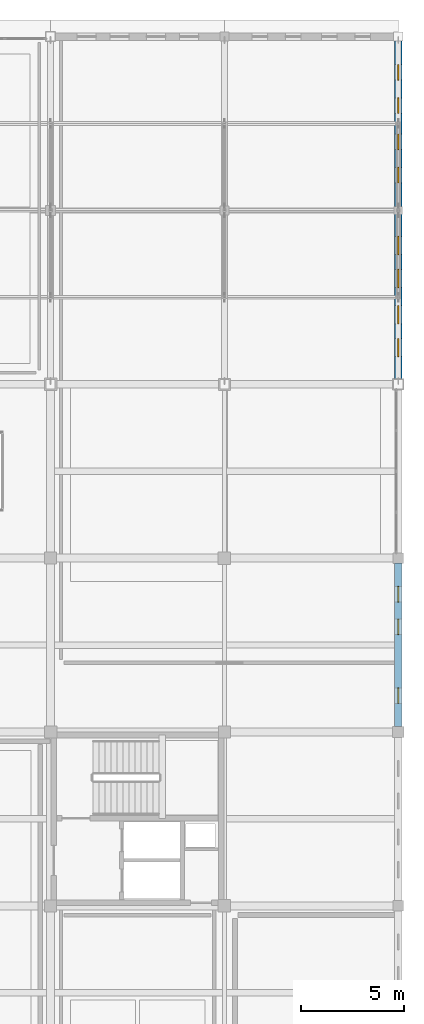
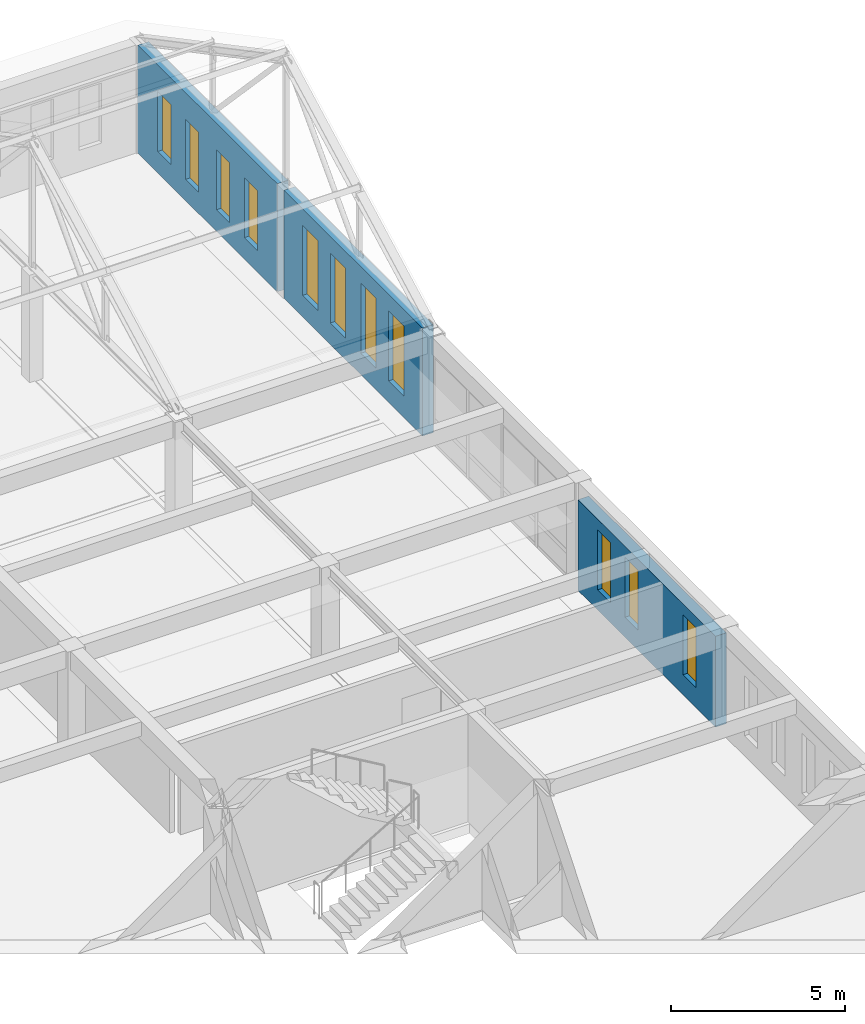
# One storey, part 50 of 56: 11 windows, 3 walls, 11 openings.
"""IFC4 building model written with IfcOpenShell, lengths in metres."""

from ifc_helpers import new_model, si_unit, direction, frame, frame_2d, origin, place, context, subcontext, project, spatial, rectangle, extrude, material, layer, layer_set, type_object, element, fill, save


model = new_model("IFC4")

# Units and contexts
model_context = context("Model", 3, precision=1e-05, world=origin(), true_north=direction((0.0, 1.0)))
body_context = subcontext(model_context, "Body", "Model", "MODEL_VIEW")
ifc_project = project(units=[si_unit("LENGTHUNIT", "METRE"), si_unit("AREAUNIT", "SQUARE_METRE"), si_unit("VOLUMEUNIT", "CUBIC_METRE"), si_unit("PLANEANGLEUNIT", "RADIAN"), si_unit("MASSUNIT", "GRAM", prefix="KILO")], contexts=[model_context])

# Site, building, storey
site_placement = place(None, origin())
site = spatial("IfcSite", under=ifc_project, at=site_placement, CompositionType="ELEMENT")
building_placement = place(site_placement, origin())
building = spatial("IfcBuilding", under=site, at=building_placement, Name="Kveldsbrygga Polytechnic", CompositionType="ELEMENT")
storey_placement = place(building_placement, frame((0.0, 0.0, 18.02001953125)))
storey = spatial("IfcBuildingStorey", under=building, at=storey_placement, Name="L04", CompositionType="ELEMENT", Elevation=18.02001953125)

# Wall, openings, windows
ifc_material_1 = material(Name="Fired clay brick masonry M10", Category="masonry")
ifc_layer = layer(ifc_material_1, 0.360107421875)
ifc_layer_set = layer_set([ifc_layer], Name="Fired clay brick masonry M10")
wall_type = type_object("IfcWallType", Name="EW-BRICK-360", PredefinedType="SOLIDWALL", material=ifc_layer_set)
wall_1_placement = place(storey_placement, frame((168.0, 84.260009765625, 0.0), z_axis=(0.0, 0.0, 1.0), x_axis=(0.0, 1.0, 0.0)))
wall_1 = element("IfcWall", 1, at=wall_1_placement, inside=storey, type_object=wall_type, Name="Exterior Brick Wall EW-L04-Y-20-10", PredefinedType="SOLIDWALL", context=body_context, shape_type="SweptSolid", body=[
    extrude(rectangle(XDim=7.89501953125, YDim=0.360107421875, at=frame_2d((3.947509765625, 0.0))), origin(), (0.0, 0.0, 1.0), 3.179931640625),
])
opening_1_placement = place(wall_1_placement, frame((1.125, 0.0, 0.699951171875)))
opening_1 = element("IfcOpeningElement", 2, at=opening_1_placement, cuts=wall_1, Name="Opening W-27", PredefinedType="OPENING", context=body_context, shape_type="SweptSolid", body=[
    extrude(rectangle(XDim=0.75, YDim=2.10009765625, at=frame_2d((0.375, 1.050048828125))), frame((0.0, 0.18994140625, 0.0), z_axis=(0.0, -1.0, 0.0), x_axis=(1.0, 0.0, 0.0)), (0.0, 0.0, 1.0), 0.380126953125),
])
opening_2_placement = place(wall_1_placement, frame((4.44091796875, 0.0, 0.699951171875)))
opening_2 = element("IfcOpeningElement", 3, at=opening_2_placement, cuts=wall_1, Name="Opening W-27", PredefinedType="OPENING", context=body_context, shape_type="SweptSolid", body=[
    extrude(rectangle(XDim=0.75, YDim=2.10009765625, at=frame_2d((0.375, 1.050048828125))), frame((0.0, 0.18994140625, 0.0), z_axis=(0.0, -1.0, 0.0), x_axis=(1.0, 0.0, 0.0)), (0.0, 0.0, 1.0), 0.380126953125),
])
opening_3_placement = place(wall_1_placement, frame((6.02001953125, 0.0, 0.699951171875)))
opening_3 = element("IfcOpeningElement", 4, at=opening_3_placement, cuts=wall_1, Name="Opening W-27", PredefinedType="OPENING", context=body_context, shape_type="SweptSolid", body=[
    extrude(rectangle(XDim=0.75, YDim=2.10009765625, at=frame_2d((0.375, 1.050048828125))), frame((0.0, 0.18994140625, 0.0), z_axis=(0.0, -1.0, 0.0), x_axis=(1.0, 0.0, 0.0)), (0.0, 0.0, 1.0), 0.380126953125),
])
ifc_material_2 = material(Name="Insulated triple low-E glass", Category="glass")
window_type_1 = type_object("IfcWindowType", Name="WN-ATTIC-075x210", PartitioningType="DOUBLE_PANEL_VERTICAL", PredefinedType="WINDOW", material=ifc_material_2)
window_1_placement = place(opening_1_placement, origin())
window_1 = element("IfcWindow", 5, at=window_1_placement, inside=storey, type_object=window_type_1, Name="Gothic Lancet Window WIN-L04-Y-20-10-1", OverallHeight=2.10009765625, OverallWidth=0.75, PartitioningType="DOUBLE_PANEL_VERTICAL", PredefinedType="WINDOW", context=body_context, shape_type="SweptSolid", body=[
    extrude(rectangle(XDim=0.75, YDim=2.10009765625, at=frame_2d((0.375, 1.050048828125))), frame((0.0, 0.030029296875, 0.0), z_axis=(0.0, -1.0, 0.0), x_axis=(1.0, 0.0, 0.0)), (0.0, 0.0, 1.0), 0.06005859375),
])
fill(opening_1, window_1)
window_2_placement = place(opening_2_placement, origin())
window_2 = element("IfcWindow", 6, at=window_2_placement, inside=storey, type_object=window_type_1, Name="Gothic Lancet Window WIN-L04-Y-20-10-3", OverallHeight=2.10009765625, OverallWidth=0.75, PartitioningType="DOUBLE_PANEL_VERTICAL", PredefinedType="WINDOW", context=body_context, shape_type="SweptSolid", body=[
    extrude(rectangle(XDim=0.75, YDim=2.10009765625, at=frame_2d((0.375, 1.050048828125))), frame((0.0, 0.030029296875, 0.0), z_axis=(0.0, -1.0, 0.0), x_axis=(1.0, 0.0, 0.0)), (0.0, 0.0, 1.0), 0.06005859375),
])
fill(opening_2, window_2)
window_3_placement = place(opening_3_placement, origin())
window_3 = element("IfcWindow", 7, at=window_3_placement, inside=storey, type_object=window_type_1, Name="Gothic Lancet Window WIN-L04-Y-20-10-4", OverallHeight=2.10009765625, OverallWidth=0.75, PartitioningType="DOUBLE_PANEL_VERTICAL", PredefinedType="WINDOW", context=body_context, shape_type="SweptSolid", body=[
    extrude(rectangle(XDim=0.75, YDim=2.10009765625, at=frame_2d((0.375, 1.050048828125))), frame((0.0, 0.030029296875, 0.0), z_axis=(0.0, -1.0, 0.0), x_axis=(1.0, 0.0, 0.0)), (0.0, 0.0, 1.0), 0.06005859375),
])
fill(opening_3, window_3)

wall_2_placement = place(storey_placement, frame((168.0, 101.06005859375, 0.0), z_axis=(0.0, 0.0, 1.0), x_axis=(0.0, 1.0, 0.0)))
wall_2 = element("IfcWall", 8, at=wall_2_placement, inside=storey, type_object=wall_type, Name="Exterior Brick Wall EW-L04-Y-20-12", PredefinedType="SOLIDWALL", context=body_context, shape_type="SweptSolid", body=[
    extrude(rectangle(XDim=7.954833984375, YDim=0.360107421875, at=frame_2d((3.9775390625, 0.0))), origin(), (0.0, 0.0, 1.0), 3.780029296875),
])
opening_4_placement = place(wall_2_placement, frame((1.071533203125, 0.0, 0.75)))
opening_4 = element("IfcOpeningElement", 9, at=opening_4_placement, cuts=wall_2, Name="Opening W-18", PredefinedType="OPENING", context=body_context, shape_type="SweptSolid", body=[
    extrude(rectangle(XDim=0.8798828125, YDim=2.449951171875, at=frame_2d((0.43994140625, 1.22509765625))), frame((0.0, 0.18994140625, 0.0), z_axis=(0.0, -1.0, 0.0), x_axis=(1.0, 0.0, 0.0)), (0.0, 0.0, 1.0), 0.380126953125),
])
opening_5_placement = place(wall_2_placement, frame((2.662353515625, 0.0, 0.75)))
opening_5 = element("IfcOpeningElement", 10, at=opening_5_placement, cuts=wall_2, Name="Opening W-18", PredefinedType="OPENING", context=body_context, shape_type="SweptSolid", body=[
    extrude(rectangle(XDim=0.8798828125, YDim=2.449951171875, at=frame_2d((0.43994140625, 1.22509765625))), frame((0.0, 0.18994140625, 0.0), z_axis=(0.0, -1.0, 0.0), x_axis=(1.0, 0.0, 0.0)), (0.0, 0.0, 1.0), 0.380126953125),
])
opening_6_placement = place(wall_2_placement, frame((4.41259765625, 0.0, 0.75)))
opening_6 = element("IfcOpeningElement", 11, at=opening_6_placement, cuts=wall_2, Name="Opening W-18", PredefinedType="OPENING", context=body_context, shape_type="SweptSolid", body=[
    extrude(rectangle(XDim=0.8798828125, YDim=2.449951171875, at=frame_2d((0.43994140625, 1.22509765625))), frame((0.0, 0.18994140625, 0.0), z_axis=(0.0, -1.0, 0.0), x_axis=(1.0, 0.0, 0.0)), (0.0, 0.0, 1.0), 0.380126953125),
])
opening_7_placement = place(wall_2_placement, frame((6.003662109375, 0.0, 0.75)))
opening_7 = element("IfcOpeningElement", 12, at=opening_7_placement, cuts=wall_2, Name="Opening W-18", PredefinedType="OPENING", context=body_context, shape_type="SweptSolid", body=[
    extrude(rectangle(XDim=0.8798828125, YDim=2.449951171875, at=frame_2d((0.43994140625, 1.22509765625))), frame((0.0, 0.18994140625, 0.0), z_axis=(0.0, -1.0, 0.0), x_axis=(1.0, 0.0, 0.0)), (0.0, 0.0, 1.0), 0.380126953125),
])
window_type_2 = type_object("IfcWindowType", Name="WN-LANC-088x245", PartitioningType="DOUBLE_PANEL_VERTICAL", PredefinedType="WINDOW", material=ifc_material_2)
window_4_placement = place(opening_4_placement, origin())
window_4 = element("IfcWindow", 13, at=window_4_placement, inside=storey, type_object=window_type_2, Name="Gothic Lancet Window WIN-L04-Y-20-12-1", OverallHeight=2.449951171875, OverallWidth=0.8798828125, PartitioningType="DOUBLE_PANEL_VERTICAL", PredefinedType="WINDOW", context=body_context, shape_type="SweptSolid", body=[
    extrude(rectangle(XDim=0.8798828125, YDim=2.449951171875, at=frame_2d((0.43994140625, 1.22509765625))), frame((0.0, 0.030029296875, 0.0), z_axis=(0.0, -1.0, 0.0), x_axis=(1.0, 0.0, 0.0)), (0.0, 0.0, 1.0), 0.06005859375),
])
fill(opening_4, window_4)
window_5_placement = place(opening_5_placement, origin())
window_5 = element("IfcWindow", 14, at=window_5_placement, inside=storey, type_object=window_type_2, Name="Gothic Lancet Window WIN-L04-Y-20-12-2", OverallHeight=2.449951171875, OverallWidth=0.8798828125, PartitioningType="DOUBLE_PANEL_VERTICAL", PredefinedType="WINDOW", context=body_context, shape_type="SweptSolid", body=[
    extrude(rectangle(XDim=0.8798828125, YDim=2.449951171875, at=frame_2d((0.43994140625, 1.22509765625))), frame((0.0, 0.030029296875, 0.0), z_axis=(0.0, -1.0, 0.0), x_axis=(1.0, 0.0, 0.0)), (0.0, 0.0, 1.0), 0.06005859375),
])
fill(opening_5, window_5)
window_6_placement = place(opening_6_placement, origin())
window_6 = element("IfcWindow", 15, at=window_6_placement, inside=storey, type_object=window_type_2, Name="Gothic Lancet Window WIN-L04-Y-20-12-3", OverallHeight=2.449951171875, OverallWidth=0.8798828125, PartitioningType="DOUBLE_PANEL_VERTICAL", PredefinedType="WINDOW", context=body_context, shape_type="SweptSolid", body=[
    extrude(rectangle(XDim=0.8798828125, YDim=2.449951171875, at=frame_2d((0.43994140625, 1.22509765625))), frame((0.0, 0.030029296875, 0.0), z_axis=(0.0, -1.0, 0.0), x_axis=(1.0, 0.0, 0.0)), (0.0, 0.0, 1.0), 0.06005859375),
])
fill(opening_6, window_6)
window_7_placement = place(opening_7_placement, origin())
window_7 = element("IfcWindow", 16, at=window_7_placement, inside=storey, type_object=window_type_2, Name="Gothic Lancet Window WIN-L04-Y-20-12-4", OverallHeight=2.449951171875, OverallWidth=0.8798828125, PartitioningType="DOUBLE_PANEL_VERTICAL", PredefinedType="WINDOW", context=body_context, shape_type="SweptSolid", body=[
    extrude(rectangle(XDim=0.8798828125, YDim=2.449951171875, at=frame_2d((0.43994140625, 1.22509765625))), frame((0.0, 0.030029296875, 0.0), z_axis=(0.0, -1.0, 0.0), x_axis=(1.0, 0.0, 0.0)), (0.0, 0.0, 1.0), 0.06005859375),
])
fill(opening_7, window_7)

wall_3_placement = place(storey_placement, frame((168.0, 109.385009765625, 0.0), z_axis=(0.0, 0.0, 1.0), x_axis=(0.0, 1.0, 0.0)))
wall_3 = element("IfcWall", 17, at=wall_3_placement, inside=storey, type_object=wall_type, Name="Exterior Brick Wall EW-L04-Y-20-13", PredefinedType="SOLIDWALL", context=body_context, shape_type="SweptSolid", body=[
    extrude(rectangle(XDim=8.0048828125, YDim=0.360107421875, at=frame_2d((4.00244140625, 0.0))), origin(), (0.0, 0.0, 1.0), 3.780029296875),
])
opening_8_placement = place(wall_3_placement, frame((1.14599609375, 0.0, 0.75)))
opening_8 = element("IfcOpeningElement", 18, at=opening_8_placement, cuts=wall_3, Name="Opening W-27", PredefinedType="OPENING", context=body_context, shape_type="SweptSolid", body=[
    extrude(rectangle(XDim=0.75, YDim=2.10009765625, at=frame_2d((0.375, 1.050048828125))), frame((0.0, 0.18994140625, 0.0), z_axis=(0.0, -1.0, 0.0), x_axis=(1.0, 0.0, 0.0)), (0.0, 0.0, 1.0), 0.380126953125),
])
opening_9_placement = place(wall_3_placement, frame((2.7470703125, 0.0, 0.75)))
opening_9 = element("IfcOpeningElement", 19, at=opening_9_placement, cuts=wall_3, Name="Opening W-27", PredefinedType="OPENING", context=body_context, shape_type="SweptSolid", body=[
    extrude(rectangle(XDim=0.75, YDim=2.10009765625, at=frame_2d((0.375, 1.050048828125))), frame((0.0, 0.18994140625, 0.0), z_axis=(0.0, -1.0, 0.0), x_axis=(1.0, 0.0, 0.0)), (0.0, 0.0, 1.0), 0.380126953125),
])
opening_10_placement = place(wall_3_placement, frame((4.508056640625, 0.0, 0.75)))
opening_10 = element("IfcOpeningElement", 20, at=opening_10_placement, cuts=wall_3, Name="Opening W-27", PredefinedType="OPENING", context=body_context, shape_type="SweptSolid", body=[
    extrude(rectangle(XDim=0.75, YDim=2.10009765625, at=frame_2d((0.375, 1.050048828125))), frame((0.0, 0.18994140625, 0.0), z_axis=(0.0, -1.0, 0.0), x_axis=(1.0, 0.0, 0.0)), (0.0, 0.0, 1.0), 0.380126953125),
])
opening_11_placement = place(wall_3_placement, frame((6.109130859375, 0.0, 0.75)))
opening_11 = element("IfcOpeningElement", 21, at=opening_11_placement, cuts=wall_3, Name="Opening W-27", PredefinedType="OPENING", context=body_context, shape_type="SweptSolid", body=[
    extrude(rectangle(XDim=0.75, YDim=2.10009765625, at=frame_2d((0.375, 1.050048828125))), frame((0.0, 0.18994140625, 0.0), z_axis=(0.0, -1.0, 0.0), x_axis=(1.0, 0.0, 0.0)), (0.0, 0.0, 1.0), 0.380126953125),
])
window_8_placement = place(opening_8_placement, origin())
window_8 = element("IfcWindow", 22, at=window_8_placement, inside=storey, type_object=window_type_1, Name="Gothic Lancet Window WIN-L04-Y-20-13-1", OverallHeight=2.10009765625, OverallWidth=0.75, PartitioningType="DOUBLE_PANEL_VERTICAL", PredefinedType="WINDOW", context=body_context, shape_type="SweptSolid", body=[
    extrude(rectangle(XDim=0.75, YDim=2.10009765625, at=frame_2d((0.375, 1.050048828125))), frame((0.0, 0.030029296875, 0.0), z_axis=(0.0, -1.0, 0.0), x_axis=(1.0, 0.0, 0.0)), (0.0, 0.0, 1.0), 0.06005859375),
])
fill(opening_8, window_8)
window_9_placement = place(opening_9_placement, origin())
window_9 = element("IfcWindow", 23, at=window_9_placement, inside=storey, type_object=window_type_1, Name="Gothic Lancet Window WIN-L04-Y-20-13-2", OverallHeight=2.10009765625, OverallWidth=0.75, PartitioningType="DOUBLE_PANEL_VERTICAL", PredefinedType="WINDOW", context=body_context, shape_type="SweptSolid", body=[
    extrude(rectangle(XDim=0.75, YDim=2.10009765625, at=frame_2d((0.375, 1.050048828125))), frame((0.0, 0.030029296875, 0.0), z_axis=(0.0, -1.0, 0.0), x_axis=(1.0, 0.0, 0.0)), (0.0, 0.0, 1.0), 0.06005859375),
])
fill(opening_9, window_9)
window_10_placement = place(opening_10_placement, origin())
window_10 = element("IfcWindow", 24, at=window_10_placement, inside=storey, type_object=window_type_1, Name="Gothic Lancet Window WIN-L04-Y-20-13-3", OverallHeight=2.10009765625, OverallWidth=0.75, PartitioningType="DOUBLE_PANEL_VERTICAL", PredefinedType="WINDOW", context=body_context, shape_type="SweptSolid", body=[
    extrude(rectangle(XDim=0.75, YDim=2.10009765625, at=frame_2d((0.375, 1.050048828125))), frame((0.0, 0.030029296875, 0.0), z_axis=(0.0, -1.0, 0.0), x_axis=(1.0, 0.0, 0.0)), (0.0, 0.0, 1.0), 0.06005859375),
])
fill(opening_10, window_10)
window_11_placement = place(opening_11_placement, origin())
window_11 = element("IfcWindow", 25, at=window_11_placement, inside=storey, type_object=window_type_1, Name="Gothic Lancet Window WIN-L04-Y-20-13-4", OverallHeight=2.10009765625, OverallWidth=0.75, PartitioningType="DOUBLE_PANEL_VERTICAL", PredefinedType="WINDOW", context=body_context, shape_type="SweptSolid", body=[
    extrude(rectangle(XDim=0.75, YDim=2.10009765625, at=frame_2d((0.375, 1.050048828125))), frame((0.0, 0.030029296875, 0.0), z_axis=(0.0, -1.0, 0.0), x_axis=(1.0, 0.0, 0.0)), (0.0, 0.0, 1.0), 0.06005859375),
])
fill(opening_11, window_11)

save(model, "model.ifc")
